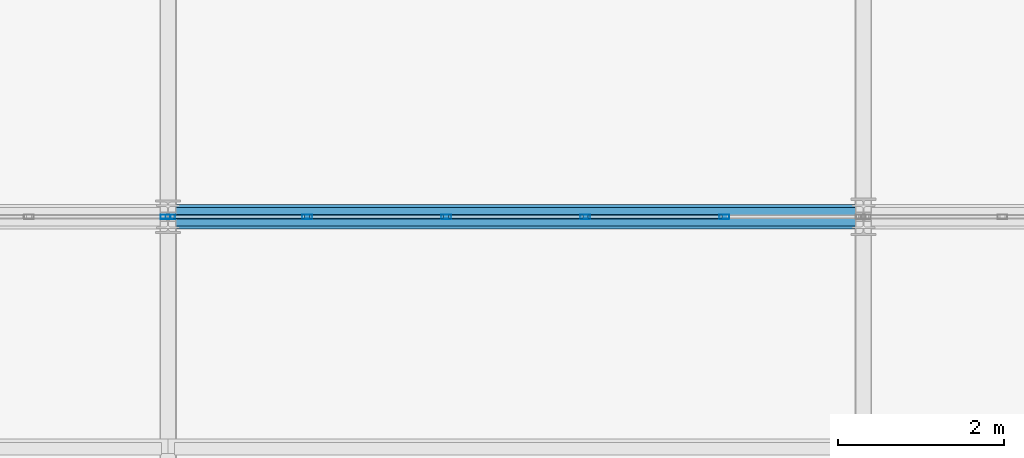
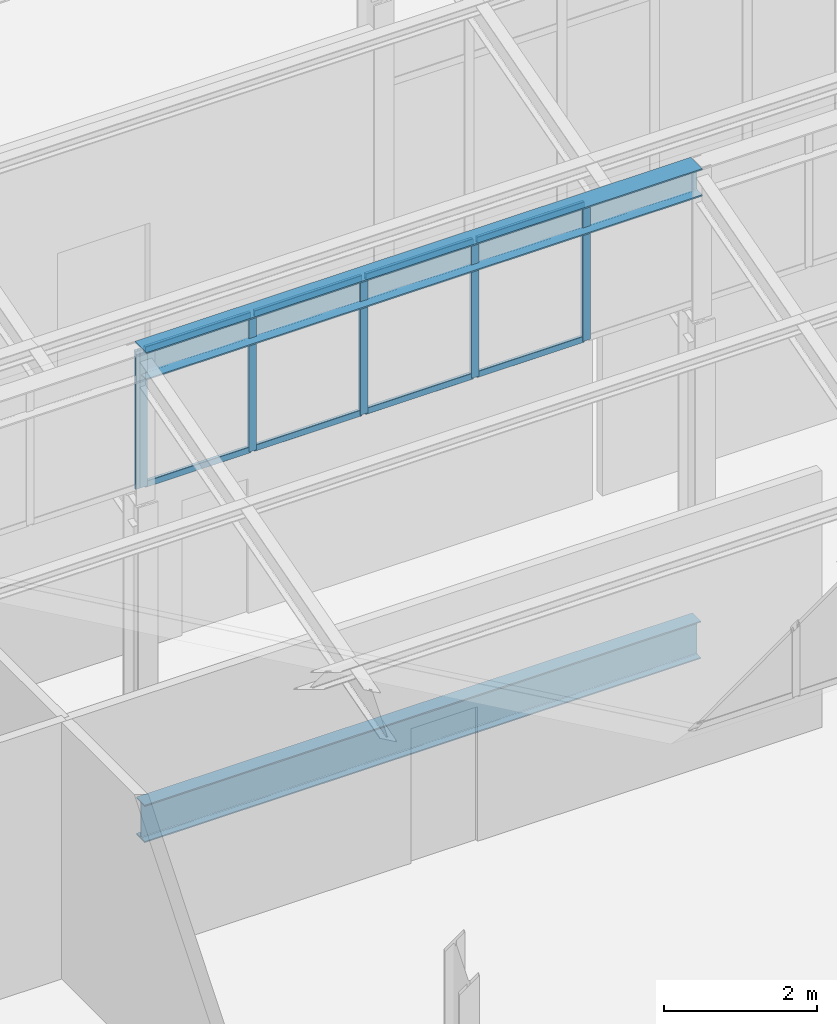
# One storey, part 28 of 53: 14 members, 2 beams, 2 elements without a shape of their own.
"""IFC4 building model written with IfcOpenShell, lengths in metres."""

from ifc_helpers import new_model, si_unit, direction, frame, origin, origin_2d, place, context, subcontext, project, spatial, hollow_rectangle, i_section, extrude, material, layer, layer_set, material_profile, profile_set, type_object, element, aggregate, save


model = new_model("IFC4")

# Units and contexts
model_context = context("Model", 3, precision=1e-05, world=origin(), true_north=direction((0.0, 1.0)))
body_context = subcontext(model_context, "Body", "Model", "MODEL_VIEW")
ifc_project = project(units=[si_unit("LENGTHUNIT", "METRE"), si_unit("AREAUNIT", "SQUARE_METRE"), si_unit("VOLUMEUNIT", "CUBIC_METRE"), si_unit("PLANEANGLEUNIT", "RADIAN"), si_unit("MASSUNIT", "GRAM", prefix="KILO")], contexts=[model_context])

# Site, building, storey
site_placement = place(None, origin())
site = spatial("IfcSite", under=ifc_project, at=site_placement, CompositionType="ELEMENT")
building_placement = place(site_placement, origin())
building = spatial("IfcBuilding", under=site, at=building_placement, Name="Qalvenar Corner Mobility Hub", CompositionType="ELEMENT")
storey_placement = place(building_placement, frame((0.0, 0.0, 26.39990234375)))
storey = spatial("IfcBuildingStorey", under=building, at=storey_placement, Name="L06", CompositionType="ELEMENT", Elevation=26.39990234375)

# Beams
ifc_material_1 = material(Name="Steel S355", Category="steel")
ifc_material_profile_1 = material_profile(ifc_material_1, i_section(OverallWidth=0.300048828125, OverallDepth=0.43994140625, WebThickness=0.011474609375, FlangeThickness=0.02099609375, FilletRadius=0.027099609375, at=origin_2d()), Name="HEA450")
ifc_profile_set_1 = profile_set([ifc_material_profile_1], Name="Steel S355")
beam_type_1 = type_object("IfcBeamType", Name="BM-HEA450", PredefinedType="BEAM", material=ifc_profile_set_1)
beam_1_placement = place(storey_placement, frame((25.199951171875, 25.199951171875, 6.81005859375), z_axis=(1.0, 0.0, 0.0), x_axis=(0.0, 1.0, 0.0)))
element("IfcBeam", 1, at=beam_1_placement, inside=storey, type_object=beam_type_1, Name="Sawtooth Ridge Girder V3RDG-3-4", PredefinedType="BEAM", context=body_context, shape_type="SweptSolid", body=[
    extrude(i_section(OverallWidth=0.300048828125, OverallDepth=0.43994140625, WebThickness=0.011474609375, FlangeThickness=0.02099609375, FilletRadius=0.027099609375, at=origin_2d()), origin(), (0.0, 0.0, 1.0), 8.400146484375),
])
ifc_material_profile_2 = material_profile(ifc_material_1, i_section(OverallWidth=0.219970703125, OverallDepth=0.60009765625, WebThickness=0.011962890625, FlangeThickness=0.01904296875, FilletRadius=0.02392578125, at=origin_2d()), Name="IPE600")
ifc_profile_set_2 = profile_set([ifc_material_profile_2], Name="Steel S355")
beam_type_2 = type_object("IfcBeamType", Name="BM-IPE600", PredefinedType="BEAM", material=ifc_profile_set_2)
beam_2_placement = place(storey_placement, frame((25.199951171875, 25.199951171875, -0.52001953125), z_axis=(1.0, 0.0, 0.0), x_axis=(0.0, 1.0, 0.0)))
element("IfcBeam", 2, at=beam_2_placement, inside=storey, type_object=beam_type_2, Name="Primary Steel Girder GX-3070", PredefinedType="BEAM", context=body_context, shape_type="SweptSolid", body=[
    extrude(i_section(OverallWidth=0.219970703125, OverallDepth=0.60009765625, WebThickness=0.011962890625, FlangeThickness=0.01904296875, FilletRadius=0.02392578125, at=origin_2d()), origin(), (0.0, 0.0, 1.0), 8.400146484375),
])

# Curtain wall, member
ifc_material_2 = material(Name="Anodised Aluminium and Low-E Glazing", Category="aluminium")
ifc_layer = layer(ifc_material_2, 0.1201171875)
ifc_layer_set = layer_set([ifc_layer], Name="Anodised Aluminium and Low-E Glazing")
curtain_wall_type = type_object("IfcCurtainWallType", Name="CW-CLR-84X24", PredefinedType="NOTDEFINED", material=ifc_layer_set)
curtain_wall_1_placement = place(storey_placement, origin())
curtain_wall_1 = element("IfcCurtainWall", 3, at=curtain_wall_1_placement, inside=storey, type_object=curtain_wall_type, Name="Glazed Curtain Wall CW-V3-SAW-3-2", PredefinedType="NOTDEFINED")
ifc_material_3 = material(Name="Anodised Aluminium 6063-T6", Category="aluminium")
ifc_material_profile_3 = material_profile(ifc_material_3, hollow_rectangle(XDim=0.054931640625, YDim=0.1201171875, WallThickness=0.00341796875, InnerFilletRadius=0.00341796875, OuterFilletRadius=0.007080078125, at=origin_2d()), Name="RHS120x55x3.5")
ifc_profile_set_3 = profile_set([ifc_material_profile_3], Name="Anodised Aluminium 6063-T6")
member_type_1 = type_object("IfcMemberType", Name="CW-MUL120", PredefinedType="MULLION", material=ifc_profile_set_3)
member_1_placement = place(storey_placement, frame((25.169921875, 25.199951171875, 4.800048828125), z_axis=(0.0, 0.0, 1.0), x_axis=(0.0, -1.0, 0.0)))
member_1 = element("IfcMember", 4, at=member_1_placement, type_object=member_type_1, Name="CW-12 mullion 1", PredefinedType="MULLION", context=body_context, shape_type="SweptSolid", body=[
    extrude(hollow_rectangle(XDim=0.054931640625, YDim=0.1201171875, WallThickness=0.00341796875, InnerFilletRadius=0.00341796875, OuterFilletRadius=0.007080078125, at=origin_2d()), origin(), (0.0, 0.0, 1.0), 2.199951171875),
])
aggregate(curtain_wall_1, [member_1])

# Curtain wall, members
curtain_wall_2_placement = place(storey_placement, origin())
curtain_wall_2 = element("IfcCurtainWall", 5, at=curtain_wall_2_placement, inside=storey, type_object=curtain_wall_type, Name="Glazed Curtain Wall CW-V3-SAW-3-3", PredefinedType="NOTDEFINED")
member_2_placement = place(storey_placement, frame((31.919921875, 25.199951171875, 4.800048828125), z_axis=(0.0, 0.0, 1.0), x_axis=(0.0, -1.0, 0.0)))
member_2 = element("IfcMember", 6, at=member_2_placement, type_object=member_type_1, Name="CW-12 mullion 2", PredefinedType="MULLION", context=body_context, shape_type="SweptSolid", body=[
    extrude(hollow_rectangle(XDim=0.054931640625, YDim=0.1201171875, WallThickness=0.00341796875, InnerFilletRadius=0.00341796875, OuterFilletRadius=0.007080078125, at=origin_2d()), origin(), (0.0, 0.0, 1.0), 2.199951171875),
])
member_3_placement = place(storey_placement, frame((30.239990234375, 25.199951171875, 4.800048828125), z_axis=(0.0, 0.0, 1.0), x_axis=(0.0, -1.0, 0.0)))
member_3 = element("IfcMember", 7, at=member_3_placement, type_object=member_type_1, Name="CW-12 mullion 3", PredefinedType="MULLION", context=body_context, shape_type="SweptSolid", body=[
    extrude(hollow_rectangle(XDim=0.054931640625, YDim=0.1201171875, WallThickness=0.00341796875, InnerFilletRadius=0.00341796875, OuterFilletRadius=0.007080078125, at=origin_2d()), origin(), (0.0, 0.0, 1.0), 2.199951171875),
])
member_4_placement = place(storey_placement, frame((28.56005859375, 25.199951171875, 4.800048828125), z_axis=(0.0, 0.0, 1.0), x_axis=(0.0, -1.0, 0.0)))
member_4 = element("IfcMember", 8, at=member_4_placement, type_object=member_type_1, Name="CW-12 mullion 4", PredefinedType="MULLION", context=body_context, shape_type="SweptSolid", body=[
    extrude(hollow_rectangle(XDim=0.054931640625, YDim=0.1201171875, WallThickness=0.00341796875, InnerFilletRadius=0.00341796875, OuterFilletRadius=0.007080078125, at=origin_2d()), origin(), (0.0, 0.0, 1.0), 2.199951171875),
])
member_5_placement = place(storey_placement, frame((26.8798828125, 25.199951171875, 4.800048828125), z_axis=(0.0, 0.0, 1.0), x_axis=(0.0, -1.0, 0.0)))
member_5 = element("IfcMember", 9, at=member_5_placement, type_object=member_type_1, Name="CW-12 mullion 5", PredefinedType="MULLION", context=body_context, shape_type="SweptSolid", body=[
    extrude(hollow_rectangle(XDim=0.054931640625, YDim=0.1201171875, WallThickness=0.00341796875, InnerFilletRadius=0.00341796875, OuterFilletRadius=0.007080078125, at=origin_2d()), origin(), (0.0, 0.0, 1.0), 2.199951171875),
])
member_6_placement = place(storey_placement, frame((25.22998046875, 25.199951171875, 4.800048828125), z_axis=(0.0, 0.0, 1.0), x_axis=(0.0, -1.0, 0.0)))
member_6 = element("IfcMember", 10, at=member_6_placement, type_object=member_type_1, Name="CW-12 mullion 6", PredefinedType="MULLION", context=body_context, shape_type="SweptSolid", body=[
    extrude(hollow_rectangle(XDim=0.054931640625, YDim=0.1201171875, WallThickness=0.00341796875, InnerFilletRadius=0.00341796875, OuterFilletRadius=0.007080078125, at=origin_2d()), origin(), (0.0, 0.0, 1.0), 2.199951171875),
])
ifc_material_profile_4 = material_profile(ifc_material_3, hollow_rectangle(XDim=0.050048828125, YDim=0.10009765625, WallThickness=0.0029296875, InnerFilletRadius=0.0029296875, OuterFilletRadius=0.006103515625, at=origin_2d()), Name="RHS100x50x3")
ifc_profile_set_4 = profile_set([ifc_material_profile_4], Name="Anodised Aluminium 6063-T6")
member_type_2 = type_object("IfcMemberType", Name="CW-TRN100", PredefinedType="USERDEFINED", material=ifc_profile_set_4)
member_7_placement = place(storey_placement, frame((31.889892578125, 25.199951171875, 4.82763671875), z_axis=(-1.0, 0.0, 0.0), x_axis=(0.0, -1.0, 0.0)))
member_7 = element("IfcMember", 11, at=member_7_placement, type_object=member_type_2, Name="CW-12 transom 2.1", ObjectType="TRANSOM", PredefinedType="USERDEFINED", context=body_context, shape_type="SweptSolid", body=[
    extrude(hollow_rectangle(XDim=0.050048828125, YDim=0.10009765625, WallThickness=0.0029296875, InnerFilletRadius=0.0029296875, OuterFilletRadius=0.006103515625, at=origin_2d()), origin(), (0.0, 0.0, 1.0), 1.619873046875),
])
member_8_placement = place(storey_placement, frame((31.889892578125, 25.199951171875, 6.97265625), z_axis=(-1.0, 0.0, 0.0), x_axis=(0.0, -1.0, 0.0)))
member_8 = element("IfcMember", 12, at=member_8_placement, type_object=member_type_2, Name="CW-12 transom 2.2", ObjectType="TRANSOM", PredefinedType="USERDEFINED", context=body_context, shape_type="SweptSolid", body=[
    extrude(hollow_rectangle(XDim=0.050048828125, YDim=0.10009765625, WallThickness=0.0029296875, InnerFilletRadius=0.0029296875, OuterFilletRadius=0.006103515625, at=origin_2d()), origin(), (0.0, 0.0, 1.0), 1.619873046875),
])
member_9_placement = place(storey_placement, frame((30.2099609375, 25.199951171875, 4.82763671875), z_axis=(-1.0, 0.0, 0.0), x_axis=(0.0, -1.0, 0.0)))
member_9 = element("IfcMember", 13, at=member_9_placement, type_object=member_type_2, Name="CW-12 transom 3.1", ObjectType="TRANSOM", PredefinedType="USERDEFINED", context=body_context, shape_type="SweptSolid", body=[
    extrude(hollow_rectangle(XDim=0.050048828125, YDim=0.10009765625, WallThickness=0.0029296875, InnerFilletRadius=0.0029296875, OuterFilletRadius=0.006103515625, at=origin_2d()), origin(), (0.0, 0.0, 1.0), 1.619873046875),
])
member_10_placement = place(storey_placement, frame((30.2099609375, 25.199951171875, 6.97265625), z_axis=(-1.0, 0.0, 0.0), x_axis=(0.0, -1.0, 0.0)))
member_10 = element("IfcMember", 14, at=member_10_placement, type_object=member_type_2, Name="CW-12 transom 3.2", ObjectType="TRANSOM", PredefinedType="USERDEFINED", context=body_context, shape_type="SweptSolid", body=[
    extrude(hollow_rectangle(XDim=0.050048828125, YDim=0.10009765625, WallThickness=0.0029296875, InnerFilletRadius=0.0029296875, OuterFilletRadius=0.006103515625, at=origin_2d()), origin(), (0.0, 0.0, 1.0), 1.619873046875),
])
member_11_placement = place(storey_placement, frame((28.530029296875, 25.199951171875, 4.82763671875), z_axis=(-1.0, 0.0, 0.0), x_axis=(0.0, -1.0, 0.0)))
member_11 = element("IfcMember", 15, at=member_11_placement, type_object=member_type_2, Name="CW-12 transom 4.1", ObjectType="TRANSOM", PredefinedType="USERDEFINED", context=body_context, shape_type="SweptSolid", body=[
    extrude(hollow_rectangle(XDim=0.050048828125, YDim=0.10009765625, WallThickness=0.0029296875, InnerFilletRadius=0.0029296875, OuterFilletRadius=0.006103515625, at=origin_2d()), origin(), (0.0, 0.0, 1.0), 1.6201171875),
])
member_12_placement = place(storey_placement, frame((28.530029296875, 25.199951171875, 6.97265625), z_axis=(-1.0, 0.0, 0.0), x_axis=(0.0, -1.0, 0.0)))
member_12 = element("IfcMember", 16, at=member_12_placement, type_object=member_type_2, Name="CW-12 transom 4.2", ObjectType="TRANSOM", PredefinedType="USERDEFINED", context=body_context, shape_type="SweptSolid", body=[
    extrude(hollow_rectangle(XDim=0.050048828125, YDim=0.10009765625, WallThickness=0.0029296875, InnerFilletRadius=0.0029296875, OuterFilletRadius=0.006103515625, at=origin_2d()), origin(), (0.0, 0.0, 1.0), 1.6201171875),
])
member_13_placement = place(storey_placement, frame((26.85009765625, 25.199951171875, 4.82763671875), z_axis=(-1.0, 0.0, 0.0), x_axis=(0.0, -1.0, 0.0)))
member_13 = element("IfcMember", 17, at=member_13_placement, type_object=member_type_2, Name="CW-12 transom 5.1", ObjectType="TRANSOM", PredefinedType="USERDEFINED", context=body_context, shape_type="SweptSolid", body=[
    extrude(hollow_rectangle(XDim=0.050048828125, YDim=0.10009765625, WallThickness=0.0029296875, InnerFilletRadius=0.0029296875, OuterFilletRadius=0.006103515625, at=origin_2d()), origin(), (0.0, 0.0, 1.0), 1.590087890625),
])
member_14_placement = place(storey_placement, frame((26.85009765625, 25.199951171875, 6.97265625), z_axis=(-1.0, 0.0, 0.0), x_axis=(0.0, -1.0, 0.0)))
member_14 = element("IfcMember", 18, at=member_14_placement, type_object=member_type_2, Name="CW-12 transom 5.2", ObjectType="TRANSOM", PredefinedType="USERDEFINED", context=body_context, shape_type="SweptSolid", body=[
    extrude(hollow_rectangle(XDim=0.050048828125, YDim=0.10009765625, WallThickness=0.0029296875, InnerFilletRadius=0.0029296875, OuterFilletRadius=0.006103515625, at=origin_2d()), origin(), (0.0, 0.0, 1.0), 1.590087890625),
])
aggregate(curtain_wall_2, [member_2, member_3, member_4, member_5, member_6, member_7, member_8, member_9, member_10, member_11, member_12, member_13, member_14])

save(model, "model.ifc")
